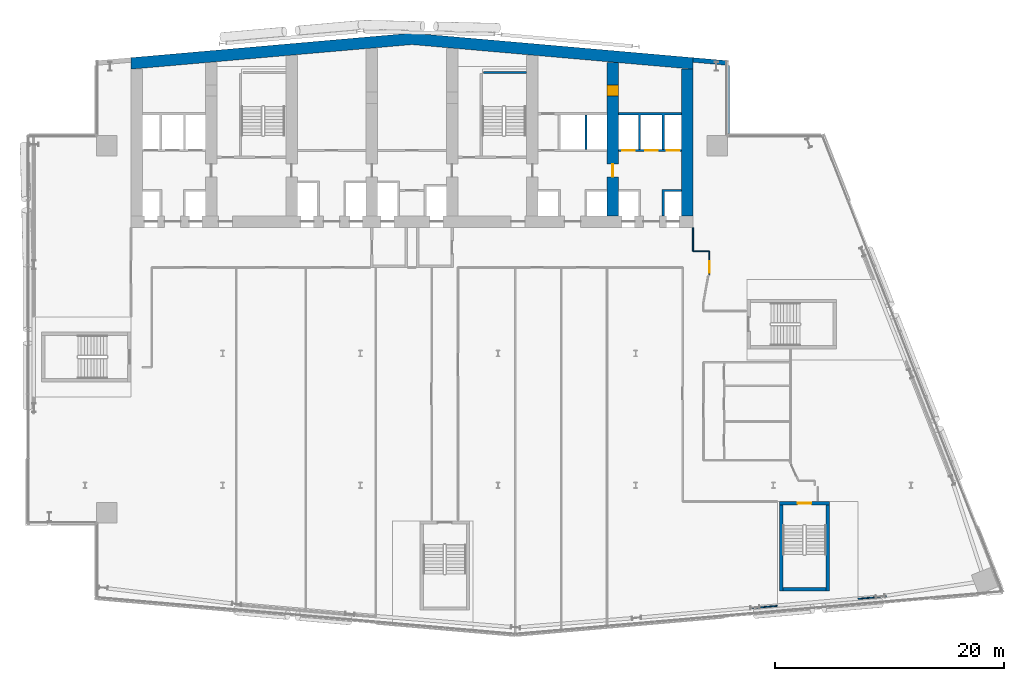
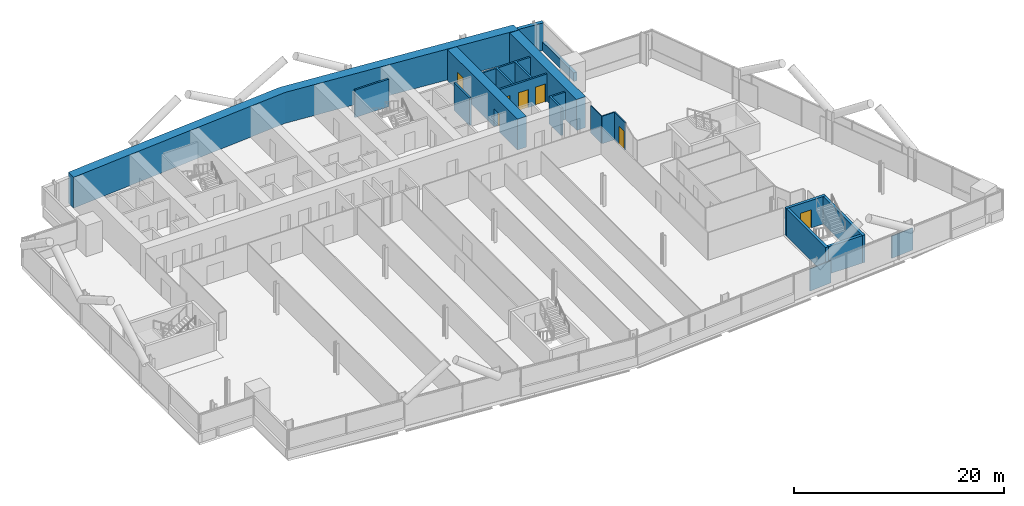
# One storey, part 17 of 25: 19 walls, 7 doors, 7 openings.
"""IFC4 building model written with IfcOpenShell, lengths in metres."""

from ifc_helpers import new_model, si_unit, direction, frame, frame_2d, origin, place, context, subcontext, project, spatial, polyline, rectangle, outline, extrude, material, layer, layer_set, type_object, element, fill, save


model = new_model("IFC4")

# Units and contexts
model_context = context("Model", 3, precision=1e-05, world=origin(), true_north=direction((0.0, 1.0)))
body_context = subcontext(model_context, "Body", "Model", "MODEL_VIEW")
ifc_project = project(units=[si_unit("LENGTHUNIT", "METRE"), si_unit("AREAUNIT", "SQUARE_METRE"), si_unit("VOLUMEUNIT", "CUBIC_METRE"), si_unit("PLANEANGLEUNIT", "RADIAN"), si_unit("MASSUNIT", "GRAM", prefix="KILO")], contexts=[model_context])

# Site, building, storey
site_placement = place(None, origin())
site = spatial("IfcSite", under=ifc_project, at=site_placement, CompositionType="ELEMENT")
building_placement = place(site_placement, origin())
building = spatial("IfcBuilding", under=site, at=building_placement, Name="Wharfspan Tower", CompositionType="ELEMENT")
storey_placement = place(building_placement, frame((0.0, 0.0, 121.899902)))
storey = spatial("IfcBuildingStorey", under=building, at=storey_placement, Name="L28", CompositionType="ELEMENT", Elevation=121.899902)

# Walls
ifc_material_1 = material(Name="Gypsum board on steel studs", Category="steel")
ifc_layer_1 = layer(ifc_material_1, 0.100098)
ifc_layer_set_1 = layer_set([ifc_layer_1], Name="Gypsum board on steel studs")
wall_type_1 = type_object("IfcWallType", Name="Compartment wall 100 EI 60", PredefinedType="PARTITIONING", material=ifc_layer_set_1)
wall_1_placement = place(storey_placement, frame((65.0, 31.925049, 0.0), z_axis=(0.0, 0.0, 1.0), x_axis=(0.0, 1.0, 0.0)))
element("IfcWall", 1, at=wall_1_placement, inside=storey, type_object=wall_type_1, Name="Partition L28.w020", PredefinedType="PARTITIONING", context=body_context, shape_type="SweptSolid", body=[
    extrude(rectangle(XDim=2.054932, YDim=0.100098, at=frame_2d((1.027344, 0.0))), origin(), (0.0, 0.0, 1.0), 3.200195),
])
wall_2_placement = place(storey_placement, frame((65.0, 31.925049, 0.0), z_axis=(0.0, 0.0, 1.0), x_axis=(1.0, 0.0, 0.0)))
element("IfcWall", 2, at=wall_2_placement, inside=storey, type_object=wall_type_1, Name="Partition L28.w021", PredefinedType="PARTITIONING", context=body_context, shape_type="SweptSolid", body=[
    extrude(rectangle(XDim=1.425049, YDim=0.100098, at=frame_2d((0.712402, 0.0))), origin(), (0.0, 0.0, 1.0), 3.200195),
])

# Wall, opening, door
wall_3_placement = place(storey_placement, frame((66.425049, 29.844971, 0.0), z_axis=(0.0, 0.0, 1.0), x_axis=(0.0, 1.0, 0.0)))
wall_3 = element("IfcWall", 3, at=wall_3_placement, inside=storey, type_object=wall_type_1, Name="Partition L28.w029", PredefinedType="PARTITIONING", context=body_context, shape_type="SweptSolid", body=[
    extrude(rectangle(XDim=2.080078, YDim=0.100098, at=frame_2d((1.040039, 0.0))), origin(), (0.0, 0.0, 1.0), 3.200195),
])
opening_1_placement = place(wall_3_placement, frame((0.180664, 0.0, 0.0)))
opening_1 = element("IfcOpeningElement", 4, at=opening_1_placement, cuts=wall_3, Name="Opening B4-15", PredefinedType="OPENING", context=body_context, shape_type="SweptSolid", body=[
    extrude(rectangle(XDim=1.0, YDim=2.100098, at=frame_2d((0.5, 1.050049))), frame((0.0, 0.060059, 0.0), z_axis=(0.0, -1.0, 0.0), x_axis=(1.0, 0.0, 0.0)), (0.0, 0.0, 1.0), 0.120117),
])
ifc_material_2 = material(Name="Fire-rated timber door leaf in steel frame", Category="steel")
door_type_1 = type_object("IfcDoorType", Name="Door 1000 FD30S Left", OperationType="SINGLE_SWING_LEFT", PredefinedType="DOOR", material=ifc_material_2)
door_1_placement = place(opening_1_placement, origin())
door_1 = element("IfcDoor", 5, at=door_1_placement, inside=storey, type_object=door_type_1, Name="Door B4-15", OperationType="SINGLE_SWING_LEFT", OverallHeight=2.100098, OverallWidth=1.0, PredefinedType="DOOR", context=body_context, shape_type="SweptSolid", body=[
    extrude(rectangle(XDim=1.0, YDim=2.100098, at=frame_2d((0.5, 1.050049))), frame((0.0, 0.024902, 0.0), z_axis=(0.0, -1.0, 0.0), x_axis=(1.0, 0.0, 0.0)), (0.0, 0.0, 1.0), 0.050049),
])
fill(opening_1, door_1)

# Wall
ifc_material_3 = material(Name="Concrete C70/85", Category="concrete")
ifc_layer_2 = layer(ifc_material_3, 1.0)
ifc_layer_set_2 = layer_set([ifc_layer_2], Name="Concrete C70/85")
wall_type_2 = type_object("IfcWallType", Name="Core wall 1000 C70/85", PredefinedType="SHEAR", material=ifc_layer_set_2)
wall_4_placement = place(storey_placement, origin())
element("IfcWall", 6, at=wall_4_placement, inside=storey, type_object=wall_type_2, Name="Core rear wall L28", PredefinedType="SHEAR", context=body_context, shape_type="SweptSolid", body=[
    extrude(outline(polyline([(16.0, 47.783691), (40.5, 49.927002), (65.0, 47.783691), (65.0, 48.787354), (40.5, 50.930908), (16.0, 48.787354), (16.0, 47.783691)])), origin(), (0.0, 0.0, 1.0), 3.600098),
])

# Wall, openings, doors
wall_5_placement = place(storey_placement, frame((58.0, 35.0, 0.0), z_axis=(0.0, 0.0, 1.0), x_axis=(0.0, 1.0, 0.0)))
wall_5 = element("IfcWall", 7, at=wall_5_placement, inside=storey, type_object=wall_type_2, Name="Core cross wall X7 L28", PredefinedType="SHEAR", context=body_context, shape_type="SweptSolid", body=[
    extrude(rectangle(XDim=13.352295, YDim=1.0, at=frame_2d((6.67627, 0.0))), origin(), (0.0, 0.0, 1.0), 3.600098),
])
opening_2_placement = place(wall_5_placement, frame((10.425537, 0.0, 0.0)))
opening_2 = element("IfcOpeningElement", 8, at=opening_2_placement, cuts=wall_5, Name="Opening CD28.7X", PredefinedType="OPENING", context=body_context, shape_type="SweptSolid", body=[
    extrude(rectangle(XDim=1.0, YDim=2.100098, at=frame_2d((0.5, 1.050049))), frame((0.0, 0.51001, 0.0), z_axis=(0.0, -1.0, 0.0), x_axis=(1.0, 0.0, 0.0)), (0.0, 0.0, 1.0), 1.02002),
])
opening_3_placement = place(wall_5_placement, frame((3.399902, 0.0, 0.0)))
opening_3 = element("IfcOpeningElement", 9, at=opening_3_placement, cuts=wall_5, Name="Opening CC28.7", PredefinedType="OPENING", context=body_context, shape_type="SweptSolid", body=[
    extrude(rectangle(XDim=1.100098, YDim=2.100098, at=frame_2d((0.550049, 1.050049))), frame((0.0, 0.51001, 0.0), z_axis=(0.0, -1.0, 0.0), x_axis=(1.0, 0.0, 0.0)), (0.0, 0.0, 1.0), 1.02002),
])
ifc_material_4 = material(Name="Steel door leaf", Category="steel")
door_type_2 = type_object("IfcDoorType", Name="Core corridor door 1100x2100", OperationType="SINGLE_SWING_LEFT", PredefinedType="DOOR", material=ifc_material_4)
door_2_placement = place(opening_3_placement, origin())
door_2 = element("IfcDoor", 10, at=door_2_placement, inside=storey, type_object=door_type_2, Name="xd:L28:7", OperationType="SINGLE_SWING_LEFT", OverallHeight=2.100098, OverallWidth=1.100098, PredefinedType="DOOR", context=body_context, shape_type="SweptSolid", body=[
    extrude(rectangle(XDim=1.100098, YDim=2.100098, at=frame_2d((0.550049, 1.050049))), frame((0.0, 0.024902, 0.0), z_axis=(0.0, -1.0, 0.0), x_axis=(1.0, 0.0, 0.0)), (0.0, 0.0, 1.0), 0.050049),
])
fill(opening_3, door_2)
door_type_3 = type_object("IfcDoorType", Name="Core room door 1000x2100", OperationType="SINGLE_SWING_LEFT", PredefinedType="DOOR", material=ifc_material_4)
door_3_placement = place(opening_2_placement, origin())
door_3 = element("IfcDoor", 11, at=door_3_placement, inside=storey, type_object=door_type_3, Name="d:L28:7:sx", OperationType="SINGLE_SWING_LEFT", OverallHeight=2.100098, OverallWidth=1.0, PredefinedType="DOOR", context=body_context, shape_type="SweptSolid", body=[
    extrude(rectangle(XDim=1.0, YDim=2.100098, at=frame_2d((0.5, 1.050049))), frame((0.0, 0.499756, 0.0), z_axis=(0.0, -1.0, 0.0), x_axis=(1.0, 0.0, 0.0)), (0.0, 0.0, 1.0), 0.999512),
])
fill(opening_2, door_3)

# Walls
wall_6_placement = place(storey_placement, frame((64.5, 35.0, 0.0), z_axis=(0.0, 0.0, 1.0), x_axis=(0.0, 1.0, 0.0)))
element("IfcWall", 12, at=wall_6_placement, inside=storey, type_object=wall_type_2, Name="Core cross wall EW1 L28", PredefinedType="SHEAR", context=body_context, shape_type="SweptSolid", body=[
    extrude(rectangle(XDim=12.783691, YDim=1.0, at=frame_2d((6.391846, 0.0))), origin(), (0.0, 0.0, 1.0), 3.600098),
])
ifc_material_5 = material(Name="Concrete C30/37", Category="concrete")
ifc_layer_3 = layer(ifc_material_5, 0.199951)
ifc_layer_set_3 = layer_set([ifc_layer_3], Name="Concrete C30/37")
wall_type_3 = type_object("IfcWallType", Name="Lift shaft wall 200", PredefinedType="PARTITIONING", material=ifc_layer_set_3)
wall_7_placement = place(storey_placement, origin())
element("IfcWall", 13, at=wall_7_placement, inside=storey, type_object=wall_type_3, Name="sw:L28:RM6.1", PredefinedType="PARTITIONING", context=body_context, shape_type="SweptSolid", body=[
    extrude(outline(polyline([(55.56665, 40.800049), (55.56665, 43.800049), (55.766602, 43.800049), (55.766602, 40.800049), (55.56665, 40.800049)])), origin(), (0.0, 0.0, 1.0), 3.200195),
])

# Wall, openings, doors
wall_8_placement = place(storey_placement, frame((58.5, 40.699951, 0.0), z_axis=(0.0, 0.0, 1.0), x_axis=(1.0, 0.0, 0.0)))
wall_8 = element("IfcWall", 14, at=wall_8_placement, inside=storey, type_object=wall_type_3, Name="sw:L28:RF7", PredefinedType="PARTITIONING", context=body_context, shape_type="SweptSolid", body=[
    extrude(rectangle(XDim=5.5, YDim=0.199951, at=frame_2d((2.75, 0.0))), origin(), (0.0, 0.0, 1.0), 3.200195),
])
opening_4_placement = place(wall_8_placement, frame((0.31665, 0.0, 0.0)))
opening_4 = element("IfcOpeningElement", 15, at=opening_4_placement, cuts=wall_8, Name="Opening LD.LA8.L28", PredefinedType="OPENING", context=body_context, shape_type="SweptSolid", body=[
    extrude(rectangle(XDim=1.100098, YDim=2.100098, at=frame_2d((0.550049, 1.050049))), frame((0.0, 0.109863, 0.0), z_axis=(0.0, -1.0, 0.0), x_axis=(1.0, 0.0, 0.0)), (0.0, 0.0, 1.0), 0.219971),
])
opening_5_placement = place(wall_8_placement, frame((2.31665, 0.0, 0.0)))
opening_5 = element("IfcOpeningElement", 16, at=opening_5_placement, cuts=wall_8, Name="Opening LD.LA9.L28", PredefinedType="OPENING", context=body_context, shape_type="SweptSolid", body=[
    extrude(rectangle(XDim=1.100098, YDim=2.100098, at=frame_2d((0.550049, 1.050049))), frame((0.0, 0.109863, 0.0), z_axis=(0.0, -1.0, 0.0), x_axis=(1.0, 0.0, 0.0)), (0.0, 0.0, 1.0), 0.219971),
])
opening_6_placement = place(wall_8_placement, frame((4.199951, 0.0, 0.0)))
opening_6 = element("IfcOpeningElement", 17, at=opening_6_placement, cuts=wall_8, Name="Opening LD.LA10.L28", PredefinedType="OPENING", context=body_context, shape_type="SweptSolid", body=[
    extrude(rectangle(XDim=1.100098, YDim=2.100098, at=frame_2d((0.550049, 1.050049))), frame((0.0, 0.109863, 0.0), z_axis=(0.0, -1.0, 0.0), x_axis=(1.0, 0.0, 0.0)), (0.0, 0.0, 1.0), 0.219971),
])
ifc_material_6 = material(Name="Stainless steel", Category="steel")
door_type_4 = type_object("IfcDoorType", Name="Lift landing door 1100x2100", OperationType="DOUBLE_DOOR_SLIDING", PredefinedType="DOOR", material=ifc_material_6)
door_4_placement = place(opening_4_placement, origin())
door_4 = element("IfcDoor", 18, at=door_4_placement, inside=storey, type_object=door_type_4, Name="Landing door LA8 L28", OperationType="DOUBLE_DOOR_SLIDING", OverallHeight=2.100098, OverallWidth=1.100098, PredefinedType="DOOR", context=body_context, shape_type="SweptSolid", body=[
    extrude(rectangle(XDim=1.100098, YDim=2.100098, at=frame_2d((0.550049, 1.050049))), frame((0.0, 0.024902, 0.0), z_axis=(0.0, -1.0, 0.0), x_axis=(1.0, 0.0, 0.0)), (0.0, 0.0, 1.0), 0.050049),
])
fill(opening_4, door_4)
door_5_placement = place(opening_5_placement, origin())
door_5 = element("IfcDoor", 19, at=door_5_placement, inside=storey, type_object=door_type_4, Name="Landing door LA9 L28", OperationType="DOUBLE_DOOR_SLIDING", OverallHeight=2.100098, OverallWidth=1.100098, PredefinedType="DOOR", context=body_context, shape_type="SweptSolid", body=[
    extrude(rectangle(XDim=1.100098, YDim=2.100098, at=frame_2d((0.550049, 1.050049))), frame((0.0, 0.024902, 0.0), z_axis=(0.0, -1.0, 0.0), x_axis=(1.0, 0.0, 0.0)), (0.0, 0.0, 1.0), 0.050049),
])
fill(opening_5, door_5)
door_6_placement = place(opening_6_placement, origin())
door_6 = element("IfcDoor", 20, at=door_6_placement, inside=storey, type_object=door_type_4, Name="Landing door LA10 L28", OperationType="DOUBLE_DOOR_SLIDING", OverallHeight=2.100098, OverallWidth=1.100098, PredefinedType="DOOR", context=body_context, shape_type="SweptSolid", body=[
    extrude(rectangle(XDim=1.100098, YDim=2.100098, at=frame_2d((0.550049, 1.050049))), frame((0.0, 0.024902, 0.0), z_axis=(0.0, -1.0, 0.0), x_axis=(1.0, 0.0, 0.0)), (0.0, 0.0, 1.0), 0.050049),
])
fill(opening_6, door_6)

# Walls
wall_9_placement = place(storey_placement, origin())
element("IfcWall", 21, at=wall_9_placement, inside=storey, type_object=wall_type_3, Name="sw:L28:FM7.1", PredefinedType="PARTITIONING", context=body_context, shape_type="SweptSolid", body=[
    extrude(outline(polyline([(62.300049, 37.300049), (62.5, 37.300049), (64.0, 37.300049), (64.0, 37.100098), (62.5, 37.100098), (62.5, 35.0), (62.300049, 35.0), (62.300049, 37.300049)])), origin(), (0.0, 0.0, 1.0), 3.200195),
])
wall_10_placement = place(storey_placement, origin())
element("IfcWall", 22, at=wall_10_placement, inside=storey, type_object=wall_type_3, Name="sw:L28:RM7.0", PredefinedType="PARTITIONING", context=body_context, shape_type="SweptSolid", body=[
    extrude(outline(polyline([(60.43335, 40.800049), (60.233398, 40.800049), (60.233398, 43.800049), (58.5, 43.800049), (58.5, 44.0), (64.0, 44.0), (64.0, 43.800049), (62.5, 43.800049), (62.5, 40.800049), (62.300049, 40.800049), (62.300049, 43.800049), (60.43335, 43.800049), (60.43335, 40.800049)])), origin(), (0.0, 0.0, 1.0), 3.200195),
])
ifc_layer_4 = layer(ifc_material_1, 0.100098)
ifc_layer_set_4 = layer_set([ifc_layer_4], Name="Gypsum board on steel studs")
wall_type_4 = type_object("IfcWallType", Name="Partition 100", PredefinedType="PARTITIONING", material=ifc_layer_set_4)
wall_11_placement = place(storey_placement, frame((69.909912, 0.780029, 0.0), z_axis=(0.0, 0.0, 1.0), x_axis=(0.99619, 0.087259, 0.0)))
element("IfcWall", 23, at=wall_11_placement, inside=storey, type_object=wall_type_4, Name="Partition L28.w033", PredefinedType="PARTITIONING", context=body_context, shape_type="SweptSolid", body=[
    extrude(rectangle(XDim=2.445312, YDim=0.100098, at=frame_2d((1.222656, 0.0))), origin(), (0.0, 0.0, 1.0), 2.580078),
])
wall_12_placement = place(storey_placement, frame((79.385986, 1.606689, 0.0), z_axis=(0.0, 0.0, 1.0), x_axis=(0.996209, 0.086973, 0.0)))
element("IfcWall", 24, at=wall_12_placement, inside=storey, type_object=wall_type_4, Name="Partition L28.w040", PredefinedType="PARTITIONING", context=body_context, shape_type="SweptSolid", body=[
    extrude(rectangle(XDim=2.453369, YDim=0.100098, at=frame_2d((1.226562, 0.0))), origin(), (0.0, 0.0, 1.0), 2.580078),
])
ifc_material_7 = material(Name="Concrete C40/50", Category="concrete")
ifc_layer_5 = layer(ifc_material_7, 0.350098)
ifc_layer_set_5 = layer_set([ifc_layer_5], Name="Concrete C40/50")
wall_type_5 = type_object("IfcWallType", Name="SPANDREL EXPOSED CONCRETE 350", PredefinedType="SOLIDWALL", material=ifc_layer_set_5)
wall_13_placement = place(storey_placement, frame((68.004883, 42.179932, 0.0), z_axis=(0.0, 0.0, 1.0), x_axis=(0.0, 1.0, 0.0)))
element("IfcWall", 25, at=wall_13_placement, inside=storey, type_object=wall_type_5, Name="Spandrel upstand L28 NRE-V", PredefinedType="SOLIDWALL", context=body_context, shape_type="SweptSolid", body=[
    extrude(rectangle(XDim=5.946533, YDim=0.350098, at=frame_2d((2.973145, 0.0))), origin(), (0.0, 0.0, 1.0), 1.0),
])

# Wall, opening, door
ifc_layer_6 = layer(ifc_material_7, 0.300049)
ifc_layer_set_6 = layer_set([ifc_layer_6], Name="Concrete C40/50")
wall_type_6 = type_object("IfcWallType", Name="Stair core wall 300", PredefinedType="SHEAR", material=ifc_layer_set_6)
wall_14_placement = place(storey_placement, frame((72.541016, 9.94458, 0.0), z_axis=(0.0, 0.0, 1.0), x_axis=(1.0, 0.0, 0.0)))
wall_14 = element("IfcWall", 26, at=wall_14_placement, inside=storey, type_object=wall_type_6, Name="ST5 stair enclosure wall L28", PredefinedType="SHEAR", context=body_context, shape_type="SweptSolid", body=[
    extrude(rectangle(XDim=4.350098, YDim=0.300049, at=frame_2d((2.175049, 0.0))), origin(), (0.0, 0.0, 1.0), 3.200195),
])
opening_7_placement = place(wall_14_placement, frame((1.574951, 0.0, 0.0)))
opening_7 = element("IfcOpeningElement", 27, at=opening_7_placement, cuts=wall_14, Name="Opening SD5.L28", PredefinedType="OPENING", context=body_context, shape_type="SweptSolid", body=[
    extrude(rectangle(XDim=1.199951, YDim=2.100098, at=frame_2d((0.600098, 1.050049))), frame((0.0, 0.159912, 0.0), z_axis=(0.0, -1.0, 0.0), x_axis=(1.0, 0.0, 0.0)), (0.0, 0.0, 1.0), 0.320068),
])
door_type_5 = type_object("IfcDoorType", Name="Stair door 1200x2100", OperationType="SINGLE_SWING_LEFT", PredefinedType="DOOR", material=ifc_material_4)
door_7_placement = place(opening_7_placement, origin())
door_7 = element("IfcDoor", 28, at=door_7_placement, inside=storey, type_object=door_type_5, Name="sd:L28:ST5z2", OperationType="SINGLE_SWING_RIGHT", OverallHeight=2.100098, OverallWidth=1.199951, PredefinedType="DOOR", context=body_context, shape_type="SweptSolid", body=[
    extrude(rectangle(XDim=1.199951, YDim=2.100098, at=frame_2d((0.600098, 1.050049))), frame((0.0, 0.024902, 0.0), z_axis=(0.0, -1.0, 0.0), x_axis=(1.0, 0.0, 0.0)), (0.0, 0.0, 1.0), 0.050049),
])
fill(opening_7, door_7)

# Walls
for number, where, z_axis, x_axis, name in (
    (29, (72.690918, 2.294678, 0.0), (0.0, 0.0, 1.0), (0.0, 1.0, 0.0), "ST5 stair enclosure wall L28"),
    (30, (76.740967, 2.294678, 0.0), (0.0, 0.0, 1.0), (0.0, 1.0, 0.0), "ST5 stair enclosure wall L28"),
):
    element("IfcWall", number, at=place(storey_placement, frame(where, z_axis=z_axis, x_axis=x_axis)), inside=storey, type_object=wall_type_6, Name=name, PredefinedType="SHEAR", context=body_context, shape_type="SweptSolid", body=[
        extrude(rectangle(XDim=7.5, YDim=0.300049, at=frame_2d((3.75, 0.0))), origin(), (0.0, 0.0, 1.0), 3.200195),
    ])
wall_15_placement = place(storey_placement, frame((72.841064, 2.44458, 0.0), z_axis=(0.0, 0.0, 1.0), x_axis=(1.0, 0.0, 0.0)))
element("IfcWall", 31, at=wall_15_placement, inside=storey, type_object=wall_type_6, Name="ST5 stair enclosure wall L28", PredefinedType="SHEAR", context=body_context, shape_type="SweptSolid", body=[
    extrude(rectangle(XDim=3.75, YDim=0.300049, at=frame_2d((1.875, 0.0))), origin(), (0.0, 0.0, 1.0), 3.200195),
])
ifc_layer_7 = layer(ifc_material_7, 0.199951)
ifc_layer_set_7 = layer_set([ifc_layer_7], Name="Concrete C40/50")
wall_type_7 = type_object("IfcWallType", Name="Stair shaft wall 200", PredefinedType="SHEAR", material=ifc_layer_set_7)
wall_16_placement = place(storey_placement, frame((46.75, 47.5, 0.0), z_axis=(0.0, 0.0, 1.0), x_axis=(1.0, 0.0, 0.0)))
element("IfcWall", 32, at=wall_16_placement, inside=storey, type_object=wall_type_7, Name="ST2 stair enclosure wall L28", PredefinedType="SHEAR", context=body_context, shape_type="SweptSolid", body=[
    extrude(rectangle(XDim=3.75, YDim=0.199951, at=frame_2d((1.875, 0.0))), origin(), (0.0, 0.0, 1.0), 3.200195),
])
ifc_layer_8 = layer(ifc_material_7, 0.399902)
ifc_layer_set_8 = layer_set([ifc_layer_8], Name="Concrete C40/50")
wall_type_8 = type_object("IfcWallType", Name="WALL EXPOSED CONCRETE 400", PredefinedType="SOLIDWALL", material=ifc_layer_set_8)
wall_17_placement = place(storey_placement, frame((67.982666, 48.325684, 0.0), z_axis=(0.0, 0.0, 1.0), x_axis=(-0.996194, 0.087168, 0.0)))
element("IfcWall", 33, at=wall_17_placement, inside=storey, type_object=wall_type_8, Name="Rear wall N2", PredefinedType="SOLIDWALL", context=body_context, shape_type="SweptSolid", body=[
    extrude(rectangle(XDim=2.994141, YDim=0.399902, at=frame_2d((1.49707, 0.0))), origin(), (0.0, 0.0, 1.0), 3.200195),
])

save(model, "model.ifc")
